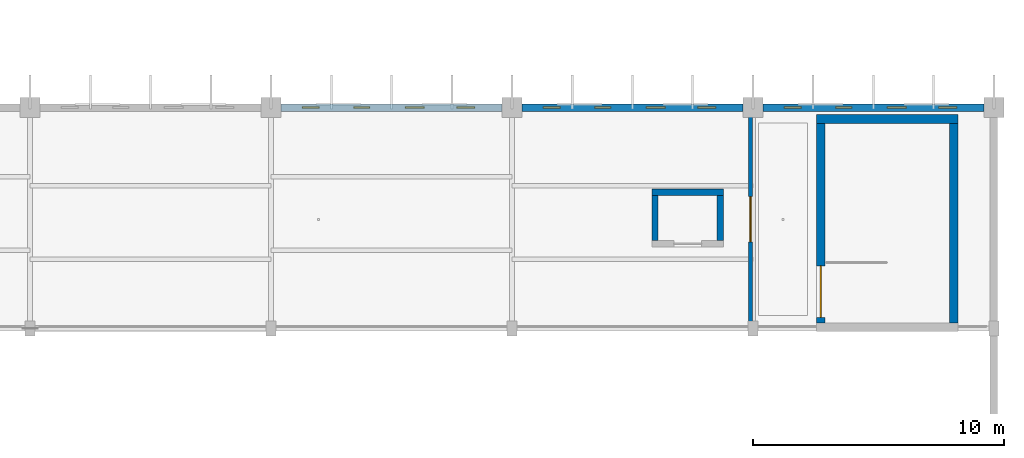
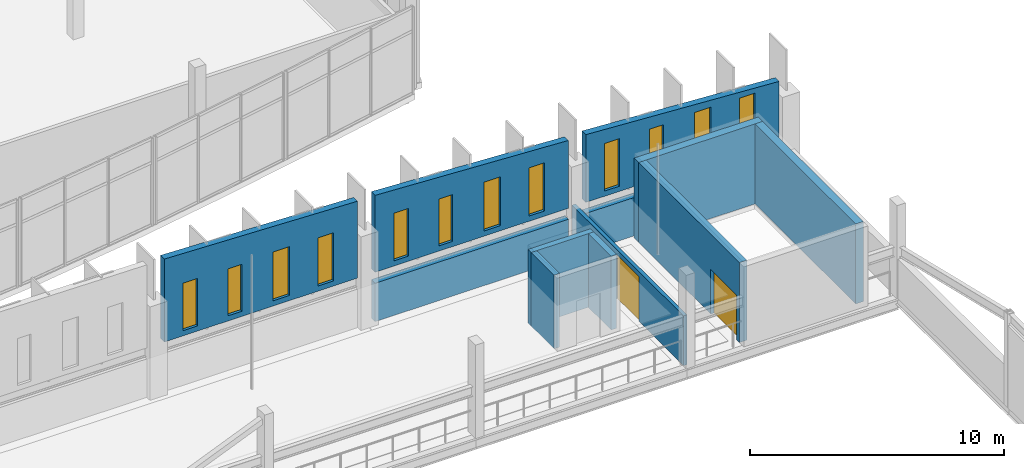
# One storey, part 95 of 114: 12 walls, 12 windows, 2 doors, 14 openings.
"""IFC4 building model written with IfcOpenShell, lengths in metres."""

from ifc_helpers import new_model, si_unit, direction, frame, frame_2d, origin, place, context, subcontext, project, spatial, polyline, rectangle, outline, extrude, material, layer, layer_set, type_object, element, fill, save


model = new_model("IFC4")

# Units and contexts
model_context = context("Model", 3, precision=1e-05, world=origin(), true_north=direction((0.0, 1.0)))
body_context = subcontext(model_context, "Body", "Model", "MODEL_VIEW")
ifc_project = project(units=[si_unit("LENGTHUNIT", "METRE"), si_unit("AREAUNIT", "SQUARE_METRE"), si_unit("VOLUMEUNIT", "CUBIC_METRE"), si_unit("PLANEANGLEUNIT", "RADIAN"), si_unit("MASSUNIT", "GRAM", prefix="KILO")], contexts=[model_context])

# Site, building, storey
site_placement = place(None, origin())
site = spatial("IfcSite", under=ifc_project, at=site_placement, CompositionType="ELEMENT")
building_placement = place(site_placement, origin())
building = spatial("IfcBuilding", under=site, at=building_placement, Name="Chalmorin Arch Market", CompositionType="ELEMENT")
storey_placement = place(building_placement, frame((0.0, 0.0, 9.60009765625)))
storey = spatial("IfcBuildingStorey", under=building, at=storey_placement, Name="L02", CompositionType="ELEMENT", Elevation=9.60009765625)

# Wall
ifc_material_1 = material(Name="Concrete C40/50", Category="concrete")
ifc_layer_1 = layer(ifc_material_1, 0.35009765625)
ifc_layer_set_1 = layer_set([ifc_layer_1], Name="Concrete C40/50")
wall_type_1 = type_object("IfcWallType", Name="CoreShearWall-350", PredefinedType="SHEAR", material=ifc_layer_set_1)
wall_1_placement = place(storey_placement, frame((117.72509765625, 58.35009765625, 0.0), z_axis=(0.0, 0.0, 1.0), x_axis=(1.0, 0.0, 0.0)))
element("IfcWall", 1, at=wall_1_placement, inside=storey, type_object=wall_type_1, Name="CSW-350-062", PredefinedType="SHEAR", context=body_context, shape_type="SweptSolid", body=[
    extrude(rectangle(XDim=5.64990234375, YDim=0.35009765625, at=frame_2d((2.824951171875, 0.0))), origin(), (0.0, 0.0, 1.0), 3.849853515625),
])

# Wall, opening, door
wall_2_placement = place(storey_placement, frame((117.89990234375, 50.22509765625, 0.0), z_axis=(0.0, 0.0, 1.0), x_axis=(0.0, 1.0, 0.0)))
wall_2 = element("IfcWall", 2, at=wall_2_placement, inside=storey, type_object=wall_type_1, Name="CSW-350-063", PredefinedType="SHEAR", context=body_context, shape_type="SweptSolid", body=[
    extrude(rectangle(XDim=7.949951171875, YDim=0.35009765625, at=frame_2d((3.97509765625, 0.0))), origin(), (0.0, 0.0, 1.0), 3.849853515625),
])
opening_1_placement = place(wall_2_placement, frame((0.219970703125, 0.0, 0.0)))
opening_1 = element("IfcOpeningElement", 3, at=opening_1_placement, cuts=wall_2, Name="Opening FD-SC4-L02", PredefinedType="OPENING", context=body_context, shape_type="SweptSolid", body=[
    extrude(rectangle(XDim=2.050048828125, YDim=2.14990234375, at=frame_2d((1.02490234375, 1.074951171875))), frame((0.0, 0.18505859375, 0.0), z_axis=(0.0, -1.0, 0.0), x_axis=(1.0, 0.0, 0.0)), (0.0, 0.0, 1.0), 0.3701171875),
])
ifc_material_2 = material(Name="Galvanised Steel", Category="steel")
door_type_1 = type_object("IfcDoorType", Name="DoubleFireExitDoor-2050x2150", OperationType="DOUBLE_DOOR_SINGLE_SWING", PredefinedType="DOOR", material=ifc_material_2)
door_1_placement = place(opening_1_placement, origin())
door_1 = element("IfcDoor", 4, at=door_1_placement, inside=storey, type_object=door_type_1, Name="FD-SC4-L02", OperationType="DOUBLE_DOOR_SINGLE_SWING", OverallHeight=2.14990234375, OverallWidth=2.050048828125, PredefinedType="DOOR", context=body_context, shape_type="SweptSolid", body=[
    extrude(rectangle(XDim=2.050048828125, YDim=2.14990234375, at=frame_2d((1.02490234375, 1.074951171875))), frame((0.0, 0.02490234375, 0.0), z_axis=(0.0, -1.0, 0.0), x_axis=(1.0, 0.0, 0.0)), (0.0, 0.0, 1.0), 0.050048828125),
])
fill(opening_1, door_1)

# Wall
wall_3_placement = place(storey_placement, frame((123.199951171875, 58.175048828125, 0.0), z_axis=(0.0, 0.0, 1.0), x_axis=(0.0, -1.0, 0.0)))
element("IfcWall", 5, at=wall_3_placement, inside=storey, type_object=wall_type_1, Name="CSW-350-064", PredefinedType="SHEAR", context=body_context, shape_type="SweptSolid", body=[
    extrude(rectangle(XDim=7.949951171875, YDim=0.35009765625, at=frame_2d((3.97509765625, 0.0))), origin(), (0.0, 0.0, 1.0), 3.849853515625),
])

# Wall, opening, door
ifc_material_3 = material(Name="Gypsum Board Partition")
ifc_layer_2 = layer(ifc_material_3, 0.159912109375)
ifc_layer_set_2 = layer_set([ifc_layer_2], Name="Gypsum Board Partition")
wall_type_2 = type_object("IfcWallType", Name="CorridorRatedPartition-160", PredefinedType="PARTITIONING", material=ifc_layer_set_2)
wall_4_placement = place(storey_placement, frame((115.10009765625, 49.949951171875, 0.0), z_axis=(0.0, 0.0, 1.0), x_axis=(0.0, 1.0, 0.0)))
wall_4 = element("IfcWall", 6, at=wall_4_placement, inside=storey, type_object=wall_type_2, Name="CRP-160-537", PredefinedType="PARTITIONING", context=body_context, shape_type="SweptSolid", body=[
    extrude(rectangle(XDim=8.800048828125, YDim=0.159912109375, at=frame_2d((4.39990234375, 0.0))), origin(), (0.0, 0.0, 1.0), 2.39990234375),
])
opening_2_placement = place(wall_4_placement, frame((3.5, 0.0, 0.0)))
opening_2 = element("IfcOpeningElement", 7, at=opening_2_placement, cuts=wall_4, Name="Opening ID-175", PredefinedType="OPENING", context=body_context, shape_type="SweptSolid", body=[
    extrude(rectangle(XDim=1.800048828125, YDim=2.14990234375, at=frame_2d((0.89990234375, 1.074951171875))), frame((0.0, 0.08984375, 0.0), z_axis=(0.0, -1.0, 0.0), x_axis=(1.0, 0.0, 0.0)), (0.0, 0.0, 1.0), 0.179931640625),
])
door_type_2 = type_object("IfcDoorType", Name="CorridorFireDoubleDoor-1800x2150", OperationType="DOUBLE_DOOR_SINGLE_SWING", PredefinedType="DOOR", material=ifc_material_2)
door_2_placement = place(opening_2_placement, origin())
door_2 = element("IfcDoor", 8, at=door_2_placement, inside=storey, type_object=door_type_2, Name="ID-175", OperationType="DOUBLE_DOOR_SINGLE_SWING", OverallHeight=2.14990234375, OverallWidth=1.800048828125, PredefinedType="DOOR", context=body_context, shape_type="SweptSolid", body=[
    extrude(rectangle(XDim=1.800048828125, YDim=2.14990234375, at=frame_2d((0.89990234375, 1.074951171875))), frame((0.0, 0.02490234375, 0.0), z_axis=(0.0, -1.0, 0.0), x_axis=(1.0, 0.0, 0.0)), (0.0, 0.0, 1.0), 0.050048828125),
])
fill(opening_2, door_2)

# Wall, openings, windows
ifc_material_4 = material(Name="Concrete C30/37", Category="concrete")
ifc_layer_3 = layer(ifc_material_4, 0.300048828125)
ifc_layer_set_3 = layer_set([ifc_layer_3], Name="Concrete C30/37")
wall_type_3 = type_object("IfcWallType", Name="ExteriorBackupWall-300", PredefinedType="STANDARD", material=ifc_layer_set_3)
wall_5_placement = place(storey_placement, frame((96.39990234375, 58.800048828125, 2.3798828125), z_axis=(0.0, 0.0, 1.0), x_axis=(1.0, 0.0, 0.0)))
wall_5 = element("IfcWall", 9, at=wall_5_placement, inside=storey, type_object=wall_type_3, Name="EBW-300-102", PredefinedType="STANDARD", context=body_context, shape_type="SweptSolid", body=[
    extrude(outline(polyline([(0.0, 0.0), (8.800048828125, 0.0), (8.800048828125, 3.70458984375), (0.0, 3.997314453125), (0.0, 0.0)])), frame((0.0, 0.14990234375, 0.0), z_axis=(0.0, -1.0, 0.0), x_axis=(1.0, 0.0, 0.0)), (0.0, 0.0, 1.0), 0.300048828125),
])
opening_3_placement = place(wall_5_placement, frame((0.85009765625, 0.0, 0.25)))
opening_3 = element("IfcOpeningElement", 10, at=opening_3_placement, cuts=wall_5, Name="Opening WN-046", PredefinedType="OPENING", context=body_context, shape_type="SweptSolid", body=[
    extrude(rectangle(XDim=0.669921875, YDim=2.2900390625, at=frame_2d((0.3349609375, 1.14501953125))), frame((0.0, 0.159912109375, 0.0), z_axis=(0.0, -1.0, 0.0), x_axis=(1.0, 0.0, 0.0)), (0.0, 0.0, 1.0), 0.320068359375),
])
opening_4_placement = place(wall_5_placement, frame((2.89990234375, 0.0, 0.25)))
opening_4 = element("IfcOpeningElement", 11, at=opening_4_placement, cuts=wall_5, Name="Opening WN-047", PredefinedType="OPENING", context=body_context, shape_type="SweptSolid", body=[
    extrude(rectangle(XDim=0.6298828125, YDim=2.260009765625, at=frame_2d((0.31494140625, 1.1298828125))), frame((0.0, 0.159912109375, 0.0), z_axis=(0.0, -1.0, 0.0), x_axis=(1.0, 0.0, 0.0)), (0.0, 0.0, 1.0), 0.320068359375),
])
opening_5_placement = place(wall_5_placement, frame((4.949951171875, 0.0, 0.25)))
opening_5 = element("IfcOpeningElement", 12, at=opening_5_placement, cuts=wall_5, Name="Opening WN-048", PredefinedType="OPENING", context=body_context, shape_type="SweptSolid", body=[
    extrude(rectangle(XDim=0.75, YDim=2.35009765625, at=frame_2d((0.375, 1.175048828125))), frame((0.0, 0.159912109375, 0.0), z_axis=(0.0, -1.0, 0.0), x_axis=(1.0, 0.0, 0.0)), (0.0, 0.0, 1.0), 0.320068359375),
])
opening_6_placement = place(wall_5_placement, frame((7.0, 0.0, 0.25)))
opening_6 = element("IfcOpeningElement", 13, at=opening_6_placement, cuts=wall_5, Name="Opening WN-049", PredefinedType="OPENING", context=body_context, shape_type="SweptSolid", body=[
    extrude(rectangle(XDim=0.7099609375, YDim=2.320068359375, at=frame_2d((0.35498046875, 1.16015625))), frame((0.0, 0.159912109375, 0.0), z_axis=(0.0, -1.0, 0.0), x_axis=(1.0, 0.0, 0.0)), (0.0, 0.0, 1.0), 0.320068359375),
])
ifc_material_5 = material(Name="Low-E Tempered Glass", Category="glass")
window_type_1 = type_object("IfcWindowType", Name="ClerestoryLancetWindow-750x4000", PartitioningType="SINGLE_PANEL", PredefinedType="WINDOW", material=ifc_material_5)
window_1_placement = place(opening_5_placement, origin())
window_1 = element("IfcWindow", 14, at=window_1_placement, inside=storey, type_object=window_type_1, Name="WN-048", OverallHeight=2.35009765625, OverallWidth=0.75, PartitioningType="SINGLE_PANEL", PredefinedType="WINDOW", context=body_context, shape_type="SweptSolid", body=[
    extrude(rectangle(XDim=0.75, YDim=2.35009765625, at=frame_2d((0.375, 1.175048828125))), frame((0.0, 0.030029296875, 0.0), z_axis=(0.0, -1.0, 0.0), x_axis=(1.0, 0.0, 0.0)), (0.0, 0.0, 1.0), 0.06005859375),
])
fill(opening_5, window_1)
window_type_2 = type_object("IfcWindowType", Name="ClerestoryLancetWindow-750x4000-630x2260", PartitioningType="SINGLE_PANEL", PredefinedType="WINDOW", material=ifc_material_5)
window_2_placement = place(opening_4_placement, origin())
window_2 = element("IfcWindow", 15, at=window_2_placement, inside=storey, type_object=window_type_2, Name="WN-047", OverallHeight=2.260009765625, OverallWidth=0.6298828125, PartitioningType="SINGLE_PANEL", PredefinedType="WINDOW", context=body_context, shape_type="SweptSolid", body=[
    extrude(rectangle(XDim=0.6298828125, YDim=2.260009765625, at=frame_2d((0.31494140625, 1.1298828125))), frame((0.0, 0.030029296875, 0.0), z_axis=(0.0, -1.0, 0.0), x_axis=(1.0, 0.0, 0.0)), (0.0, 0.0, 1.0), 0.06005859375),
])
fill(opening_4, window_2)
window_type_3 = type_object("IfcWindowType", Name="ClerestoryLancetWindow-750x4000-670x2290", PartitioningType="SINGLE_PANEL", PredefinedType="WINDOW", material=ifc_material_5)
window_3_placement = place(opening_3_placement, origin())
window_3 = element("IfcWindow", 16, at=window_3_placement, inside=storey, type_object=window_type_3, Name="WN-046", OverallHeight=2.2900390625, OverallWidth=0.669921875, PartitioningType="SINGLE_PANEL", PredefinedType="WINDOW", context=body_context, shape_type="SweptSolid", body=[
    extrude(rectangle(XDim=0.669921875, YDim=2.2900390625, at=frame_2d((0.3349609375, 1.14501953125))), frame((0.0, 0.030029296875, 0.0), z_axis=(0.0, -1.0, 0.0), x_axis=(1.0, 0.0, 0.0)), (0.0, 0.0, 1.0), 0.06005859375),
])
fill(opening_3, window_3)
window_type_4 = type_object("IfcWindowType", Name="ClerestoryLancetWindow-750x4000-710x2320", PartitioningType="SINGLE_PANEL", PredefinedType="WINDOW", material=ifc_material_5)
window_4_placement = place(opening_6_placement, origin())
window_4 = element("IfcWindow", 17, at=window_4_placement, inside=storey, type_object=window_type_4, Name="WN-049", OverallHeight=2.320068359375, OverallWidth=0.7099609375, PartitioningType="SINGLE_PANEL", PredefinedType="WINDOW", context=body_context, shape_type="SweptSolid", body=[
    extrude(rectangle(XDim=0.7099609375, YDim=2.320068359375, at=frame_2d((0.35498046875, 1.16015625))), frame((0.0, 0.030029296875, 0.0), z_axis=(0.0, -1.0, 0.0), x_axis=(1.0, 0.0, 0.0)), (0.0, 0.0, 1.0), 0.06005859375),
])
fill(opening_6, window_4)

# Wall
wall_6_placement = place(storey_placement, frame((106.0, 58.800048828125, 0.0), z_axis=(0.0, 0.0, 1.0), x_axis=(1.0, 0.0, 0.0)))
element("IfcWall", 18, at=wall_6_placement, inside=storey, type_object=wall_type_3, Name="EBW-300-106", PredefinedType="STANDARD", context=body_context, shape_type="SweptSolid", body=[
    extrude(rectangle(XDim=8.800048828125, YDim=0.300048828125, at=frame_2d((4.39990234375, 0.0))), origin(), (0.0, 0.0, 1.0), 1.849853515625),
])

# Wall, openings, windows
wall_7_placement = place(storey_placement, frame((106.0, 58.800048828125, 2.3798828125), z_axis=(0.0, 0.0, 1.0), x_axis=(1.0, 0.0, 0.0)))
wall_7 = element("IfcWall", 19, at=wall_7_placement, inside=storey, type_object=wall_type_3, Name="EBW-300-107", PredefinedType="STANDARD", context=body_context, shape_type="SweptSolid", body=[
    extrude(outline(polyline([(0.0, 0.0), (8.800048828125, 0.0), (8.800048828125, 3.2666015625), (0.0, 3.70458984375), (0.0, 0.0)])), frame((0.0, 0.14990234375, 0.0), z_axis=(0.0, -1.0, 0.0), x_axis=(1.0, 0.0, 0.0)), (0.0, 0.0, 1.0), 0.300048828125),
])
opening_7_placement = place(wall_7_placement, frame((0.85009765625, 0.0, 0.25)))
opening_7 = element("IfcOpeningElement", 20, at=opening_7_placement, cuts=wall_7, Name="Opening WN-054", PredefinedType="OPENING", context=body_context, shape_type="SweptSolid", body=[
    extrude(rectangle(XDim=0.669921875, YDim=2.2900390625, at=frame_2d((0.3349609375, 1.14501953125))), frame((0.0, 0.159912109375, 0.0), z_axis=(0.0, -1.0, 0.0), x_axis=(1.0, 0.0, 0.0)), (0.0, 0.0, 1.0), 0.320068359375),
])
opening_8_placement = place(wall_7_placement, frame((2.89990234375, 0.0, 0.25)))
opening_8 = element("IfcOpeningElement", 21, at=opening_8_placement, cuts=wall_7, Name="Opening WN-055", PredefinedType="OPENING", context=body_context, shape_type="SweptSolid", body=[
    extrude(rectangle(XDim=0.6298828125, YDim=2.260009765625, at=frame_2d((0.31494140625, 1.1298828125))), frame((0.0, 0.159912109375, 0.0), z_axis=(0.0, -1.0, 0.0), x_axis=(1.0, 0.0, 0.0)), (0.0, 0.0, 1.0), 0.320068359375),
])
opening_9_placement = place(wall_7_placement, frame((4.949951171875, 0.0, 0.25)))
opening_9 = element("IfcOpeningElement", 22, at=opening_9_placement, cuts=wall_7, Name="Opening WN-056", PredefinedType="OPENING", context=body_context, shape_type="SweptSolid", body=[
    extrude(rectangle(XDim=0.75, YDim=2.35009765625, at=frame_2d((0.375, 1.175048828125))), frame((0.0, 0.159912109375, 0.0), z_axis=(0.0, -1.0, 0.0), x_axis=(1.0, 0.0, 0.0)), (0.0, 0.0, 1.0), 0.320068359375),
])
opening_10_placement = place(wall_7_placement, frame((7.0, 0.0, 0.25)))
opening_10 = element("IfcOpeningElement", 23, at=opening_10_placement, cuts=wall_7, Name="Opening WN-057", PredefinedType="OPENING", context=body_context, shape_type="SweptSolid", body=[
    extrude(rectangle(XDim=0.7099609375, YDim=2.320068359375, at=frame_2d((0.35498046875, 1.16015625))), frame((0.0, 0.159912109375, 0.0), z_axis=(0.0, -1.0, 0.0), x_axis=(1.0, 0.0, 0.0)), (0.0, 0.0, 1.0), 0.320068359375),
])
window_5_placement = place(opening_9_placement, origin())
window_5 = element("IfcWindow", 24, at=window_5_placement, inside=storey, type_object=window_type_1, Name="WN-056", OverallHeight=2.35009765625, OverallWidth=0.75, PartitioningType="SINGLE_PANEL", PredefinedType="WINDOW", context=body_context, shape_type="SweptSolid", body=[
    extrude(rectangle(XDim=0.75, YDim=2.35009765625, at=frame_2d((0.375, 1.175048828125))), frame((0.0, 0.030029296875, 0.0), z_axis=(0.0, -1.0, 0.0), x_axis=(1.0, 0.0, 0.0)), (0.0, 0.0, 1.0), 0.06005859375),
])
fill(opening_9, window_5)
window_6_placement = place(opening_8_placement, origin())
window_6 = element("IfcWindow", 25, at=window_6_placement, inside=storey, type_object=window_type_2, Name="WN-055", OverallHeight=2.260009765625, OverallWidth=0.6298828125, PartitioningType="SINGLE_PANEL", PredefinedType="WINDOW", context=body_context, shape_type="SweptSolid", body=[
    extrude(rectangle(XDim=0.6298828125, YDim=2.260009765625, at=frame_2d((0.31494140625, 1.1298828125))), frame((0.0, 0.030029296875, 0.0), z_axis=(0.0, -1.0, 0.0), x_axis=(1.0, 0.0, 0.0)), (0.0, 0.0, 1.0), 0.06005859375),
])
fill(opening_8, window_6)
window_7_placement = place(opening_7_placement, origin())
window_7 = element("IfcWindow", 26, at=window_7_placement, inside=storey, type_object=window_type_3, Name="WN-054", OverallHeight=2.2900390625, OverallWidth=0.669921875, PartitioningType="SINGLE_PANEL", PredefinedType="WINDOW", context=body_context, shape_type="SweptSolid", body=[
    extrude(rectangle(XDim=0.669921875, YDim=2.2900390625, at=frame_2d((0.3349609375, 1.14501953125))), frame((0.0, 0.030029296875, 0.0), z_axis=(0.0, -1.0, 0.0), x_axis=(1.0, 0.0, 0.0)), (0.0, 0.0, 1.0), 0.06005859375),
])
fill(opening_7, window_7)
window_8_placement = place(opening_10_placement, origin())
window_8 = element("IfcWindow", 27, at=window_8_placement, inside=storey, type_object=window_type_4, Name="WN-057", OverallHeight=2.320068359375, OverallWidth=0.7099609375, PartitioningType="SINGLE_PANEL", PredefinedType="WINDOW", context=body_context, shape_type="SweptSolid", body=[
    extrude(rectangle(XDim=0.7099609375, YDim=2.320068359375, at=frame_2d((0.35498046875, 1.16015625))), frame((0.0, 0.030029296875, 0.0), z_axis=(0.0, -1.0, 0.0), x_axis=(1.0, 0.0, 0.0)), (0.0, 0.0, 1.0), 0.06005859375),
])
fill(opening_10, window_8)

# Wall
wall_8_placement = place(storey_placement, frame((115.60009765625, 58.800048828125, 0.0), z_axis=(0.0, 0.0, 1.0), x_axis=(1.0, 0.0, 0.0)))
element("IfcWall", 28, at=wall_8_placement, inside=storey, type_object=wall_type_3, Name="EBW-300-111", PredefinedType="STANDARD", context=body_context, shape_type="SweptSolid", body=[
    extrude(rectangle(XDim=8.7998046875, YDim=0.300048828125, at=frame_2d((4.39990234375, 0.0))), origin(), (0.0, 0.0, 1.0), 1.849853515625),
])

# Wall, openings, windows
wall_9_placement = place(storey_placement, frame((115.60009765625, 58.800048828125, 2.3798828125), z_axis=(0.0, 0.0, 1.0), x_axis=(1.0, 0.0, 0.0)))
wall_9 = element("IfcWall", 29, at=wall_9_placement, inside=storey, type_object=wall_type_3, Name="EBW-300-112", PredefinedType="STANDARD", context=body_context, shape_type="SweptSolid", body=[
    extrude(outline(polyline([(0.0, 0.0), (8.7998046875, 0.0), (8.800048828125, 2.75), (0.0, 3.2666015625), (0.0, 0.0)])), frame((0.0, 0.14990234375, 0.0), z_axis=(0.0, -1.0, 0.0), x_axis=(1.0, 0.0, 0.0)), (0.0, 0.0, 1.0), 0.300048828125),
])
opening_11_placement = place(wall_9_placement, frame((0.85009765625, 0.0, 0.25)))
opening_11 = element("IfcOpeningElement", 30, at=opening_11_placement, cuts=wall_9, Name="Opening WN-062", PredefinedType="OPENING", context=body_context, shape_type="SweptSolid", body=[
    extrude(rectangle(XDim=0.669921875, YDim=2.2900390625, at=frame_2d((0.3349609375, 1.14501953125))), frame((0.0, 0.159912109375, 0.0), z_axis=(0.0, -1.0, 0.0), x_axis=(1.0, 0.0, 0.0)), (0.0, 0.0, 1.0), 0.320068359375),
])
opening_12_placement = place(wall_9_placement, frame((2.89990234375, 0.0, 0.25)))
opening_12 = element("IfcOpeningElement", 31, at=opening_12_placement, cuts=wall_9, Name="Opening WN-063", PredefinedType="OPENING", context=body_context, shape_type="SweptSolid", body=[
    extrude(rectangle(XDim=0.6298828125, YDim=2.260009765625, at=frame_2d((0.31494140625, 1.1298828125))), frame((0.0, 0.159912109375, 0.0), z_axis=(0.0, -1.0, 0.0), x_axis=(1.0, 0.0, 0.0)), (0.0, 0.0, 1.0), 0.320068359375),
])
opening_13_placement = place(wall_9_placement, frame((4.949951171875, 0.0, 0.25)))
opening_13 = element("IfcOpeningElement", 32, at=opening_13_placement, cuts=wall_9, Name="Opening WN-064", PredefinedType="OPENING", context=body_context, shape_type="SweptSolid", body=[
    extrude(rectangle(XDim=0.75, YDim=2.35009765625, at=frame_2d((0.375, 1.175048828125))), frame((0.0, 0.159912109375, 0.0), z_axis=(0.0, -1.0, 0.0), x_axis=(1.0, 0.0, 0.0)), (0.0, 0.0, 1.0), 0.320068359375),
])
opening_14_placement = place(wall_9_placement, frame((7.0, 0.0, 0.25)))
opening_14 = element("IfcOpeningElement", 33, at=opening_14_placement, cuts=wall_9, Name="Opening WN-065", PredefinedType="OPENING", context=body_context, shape_type="SweptSolid", body=[
    extrude(rectangle(XDim=0.7099609375, YDim=2.320068359375, at=frame_2d((0.35498046875, 1.16015625))), frame((0.0, 0.159912109375, 0.0), z_axis=(0.0, -1.0, 0.0), x_axis=(1.0, 0.0, 0.0)), (0.0, 0.0, 1.0), 0.320068359375),
])
window_9_placement = place(opening_13_placement, origin())
window_9 = element("IfcWindow", 34, at=window_9_placement, inside=storey, type_object=window_type_1, Name="WN-064", OverallHeight=2.35009765625, OverallWidth=0.75, PartitioningType="SINGLE_PANEL", PredefinedType="WINDOW", context=body_context, shape_type="SweptSolid", body=[
    extrude(rectangle(XDim=0.75, YDim=2.35009765625, at=frame_2d((0.375, 1.175048828125))), frame((0.0, 0.030029296875, 0.0), z_axis=(0.0, -1.0, 0.0), x_axis=(1.0, 0.0, 0.0)), (0.0, 0.0, 1.0), 0.06005859375),
])
fill(opening_13, window_9)
window_10_placement = place(opening_12_placement, origin())
window_10 = element("IfcWindow", 35, at=window_10_placement, inside=storey, type_object=window_type_2, Name="WN-063", OverallHeight=2.260009765625, OverallWidth=0.6298828125, PartitioningType="SINGLE_PANEL", PredefinedType="WINDOW", context=body_context, shape_type="SweptSolid", body=[
    extrude(rectangle(XDim=0.6298828125, YDim=2.260009765625, at=frame_2d((0.31494140625, 1.1298828125))), frame((0.0, 0.030029296875, 0.0), z_axis=(0.0, -1.0, 0.0), x_axis=(1.0, 0.0, 0.0)), (0.0, 0.0, 1.0), 0.06005859375),
])
fill(opening_12, window_10)
window_11_placement = place(opening_11_placement, origin())
window_11 = element("IfcWindow", 36, at=window_11_placement, inside=storey, type_object=window_type_3, Name="WN-062", OverallHeight=2.2900390625, OverallWidth=0.669921875, PartitioningType="SINGLE_PANEL", PredefinedType="WINDOW", context=body_context, shape_type="SweptSolid", body=[
    extrude(rectangle(XDim=0.669921875, YDim=2.2900390625, at=frame_2d((0.3349609375, 1.14501953125))), frame((0.0, 0.030029296875, 0.0), z_axis=(0.0, -1.0, 0.0), x_axis=(1.0, 0.0, 0.0)), (0.0, 0.0, 1.0), 0.06005859375),
])
fill(opening_11, window_11)
window_12_placement = place(opening_14_placement, origin())
window_12 = element("IfcWindow", 37, at=window_12_placement, inside=storey, type_object=window_type_4, Name="WN-065", OverallHeight=2.320068359375, OverallWidth=0.7099609375, PartitioningType="SINGLE_PANEL", PredefinedType="WINDOW", context=body_context, shape_type="SweptSolid", body=[
    extrude(rectangle(XDim=0.7099609375, YDim=2.320068359375, at=frame_2d((0.35498046875, 1.16015625))), frame((0.0, 0.030029296875, 0.0), z_axis=(0.0, -1.0, 0.0), x_axis=(1.0, 0.0, 0.0)), (0.0, 0.0, 1.0), 0.06005859375),
])
fill(opening_14, window_12)

# Walls
ifc_material_6 = material(Name="Concrete C35/45", Category="concrete")
ifc_layer_4 = layer(ifc_material_6, 0.25)
ifc_layer_set_4 = layer_set([ifc_layer_4], Name="Concrete C35/45")
wall_type_4 = type_object("IfcWallType", Name="ShaftEnclosureWall-250", PredefinedType="SOLIDWALL", material=ifc_layer_set_4)
wall_10_placement = place(storey_placement, frame((111.175048828125, 55.425048828125, 0.0), z_axis=(0.0, 0.0, 1.0), x_axis=(1.0, 0.0, 0.0)))
element("IfcWall", 38, at=wall_10_placement, inside=storey, type_object=wall_type_4, Name="SEW-250-259", PredefinedType="SOLIDWALL", context=body_context, shape_type="SweptSolid", body=[
    extrude(rectangle(XDim=2.849853515625, YDim=0.25, at=frame_2d((1.4248046875, 0.0))), origin(), (0.0, 0.0, 1.0), 3.5498046875),
])
for number, where, z_axis, x_axis, name in (
    (39, (111.300048828125, 53.5, 0.0), (0.0, 0.0, 1.0), (0.0, 1.0, 0.0), "SEW-250-260"),
    (40, (113.89990234375, 55.300048828125, 0.0), (0.0, 0.0, 1.0), (0.0, -1.0, 0.0), "SEW-250-261"),
):
    element("IfcWall", number, at=place(storey_placement, frame(where, z_axis=z_axis, x_axis=x_axis)), inside=storey, type_object=wall_type_4, Name=name, PredefinedType="SOLIDWALL", context=body_context, shape_type="SweptSolid", body=[
        extrude(rectangle(XDim=1.800048828125, YDim=0.25, at=frame_2d((0.89990234375, 0.0))), origin(), (0.0, 0.0, 1.0), 3.5498046875),
    ])

save(model, "model.ifc")
